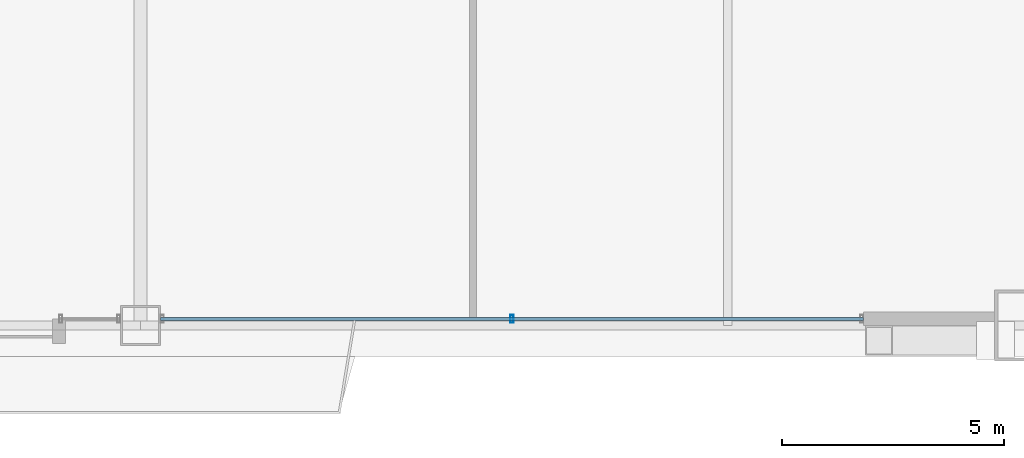
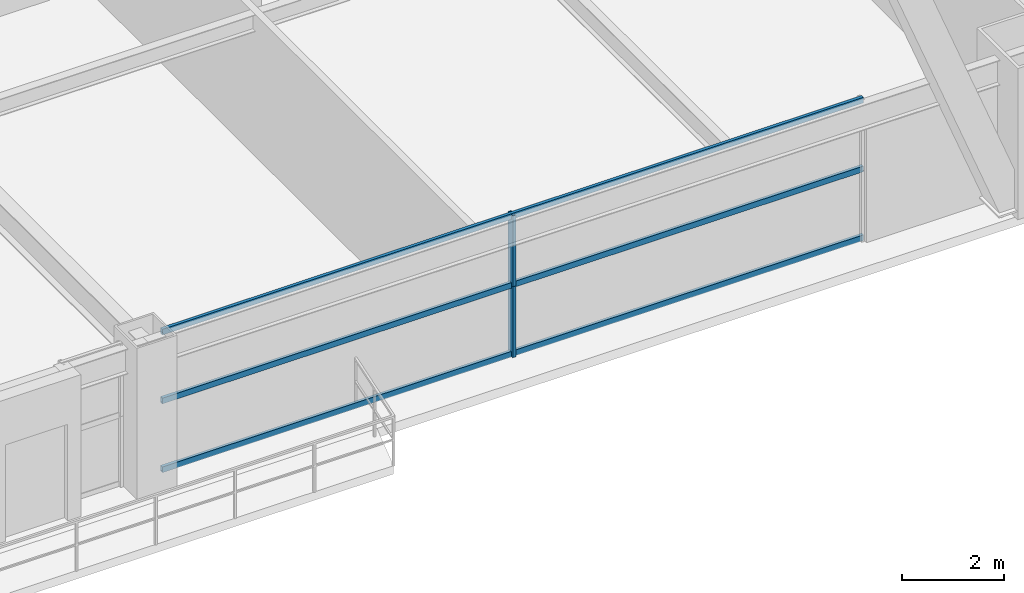
# One storey, part 14 of 43: 5 members, 1 element without a shape of its own.
"""IFC4 building model written with IfcOpenShell, lengths in metres."""

from ifc_helpers import new_model, si_unit, direction, frame, origin, origin_2d, place, context, subcontext, project, spatial, hollow_rectangle, extrude, source, transform, mapped, material, layer, layer_set, material_profile, profile_set, type_object, element, aggregate, save


model = new_model("IFC4")

# Units and contexts
model_context = context("Model", 3, precision=1e-05, world=origin(), true_north=direction((0.0, 1.0)))
body_context = subcontext(model_context, "Body", "Model", "MODEL_VIEW")
ifc_project = project(units=[si_unit("LENGTHUNIT", "METRE"), si_unit("AREAUNIT", "SQUARE_METRE"), si_unit("VOLUMEUNIT", "CUBIC_METRE"), si_unit("PLANEANGLEUNIT", "RADIAN"), si_unit("MASSUNIT", "GRAM", prefix="KILO"), si_unit("THERMODYNAMICTEMPERATUREUNIT", "KELVIN"), si_unit("POWERUNIT", "WATT")], contexts=[model_context])

# Site, building, storey
site_placement = place(None, origin())
site = spatial("IfcSite", under=ifc_project, at=site_placement, CompositionType="ELEMENT")
building_placement = place(site_placement, origin())
building = spatial("IfcBuilding", under=site, at=building_placement, Name="Yuzanri Waterfront Tower", CompositionType="ELEMENT")
storey_placement = place(building_placement, frame((0.0, 0.0, 101.0)))
storey = spatial("IfcBuildingStorey", under=building, at=storey_placement, Name="L26", CompositionType="ELEMENT", Elevation=101.0)

# Curtain wall, members
ifc_material_1 = material(Name="Anodized Architectural Bronze", Category="metal")
ifc_layer = layer(ifc_material_1, 0.159912109375)
ifc_layer_set = layer_set([ifc_layer], Name="Anodized Architectural Bronze")
curtain_wall_type = type_object("IfcCurtainWallType", Name="Anodized Bronze Hotel Upper-Tier Solar-Control Unitized Curtain Wall 7800", PredefinedType="NOTDEFINED", material=ifc_layer_set)
curtain_wall_placement = place(storey_placement, origin())
curtain_wall = element("IfcCurtainWall", 1, at=curtain_wall_placement, inside=storey, type_object=curtain_wall_type, Name="L26 Curtain Wall CW-L26-SR", PredefinedType="NOTDEFINED")
ifc_material_2 = material(Name="Anodized Architectural Bronze", Category="metal")
ifc_material_profile_1 = material_profile(ifc_material_2, hollow_rectangle(XDim=0.070068359375, YDim=0.179931640625, WallThickness=0.00390625, at=origin_2d()), Name="CWM 70x180")
ifc_profile_set_1 = profile_set([ifc_material_profile_1], Name="Anodized Architectural Bronze")
member_type_1 = type_object("IfcMemberType", Name="Anodized Bronze Standard Curtain-Wall Mullion 70x180", PredefinedType="MULLION", material=ifc_profile_set_1)
shared_shape_1 = source(origin(), body_context, "Body", "SweptSolid", [
    extrude(hollow_rectangle(XDim=0.070068359375, YDim=0.179931640625, WallThickness=0.00390625, at=origin_2d()), origin(), (0.0, 0.0, 1.0), 1.68798828125),
])
member_1_placement = place(storey_placement, frame((45.35009765625, 2.35009765625, 0.0), z_axis=(0.0, 0.0, 1.0), x_axis=(1.0, 0.0, 0.0)))
member_1 = element("IfcMember", 2, at=member_1_placement, type_object=member_type_1, Name="CW-L26-SR Lower Mullion 01", PredefinedType="MULLION", context=body_context, shape_type="MappedRepresentation", body=[
    mapped(shared_shape_1, transform((0.0, 0.0, 0.0), scale=1.0)),
])
member_2_placement = place(storey_placement, frame((45.35009765625, 2.35009765625, 1.69189453125), z_axis=(0.0, 0.0, 1.0), x_axis=(1.0, 0.0, 0.0)))
member_2 = element("IfcMember", 3, at=member_2_placement, type_object=member_type_1, Name="CW-L26-SR Upper Mullion 01", PredefinedType="MULLION", context=body_context, shape_type="MappedRepresentation", body=[
    mapped(shared_shape_1, transform((0.0, 0.0, 0.0), scale=1.0)),
])
ifc_material_3 = material(Name="Anodized Architectural Bronze", Category="metal")
ifc_material_profile_2 = material_profile(ifc_material_3, hollow_rectangle(XDim=0.070068359375, YDim=0.135009765625, WallThickness=0.00341796875, at=origin_2d()), Name="CWT 70x135")
ifc_profile_set_2 = profile_set([ifc_material_profile_2], Name="Anodized Architectural Bronze")
member_type_2 = type_object("IfcMemberType", Name="Anodized Bronze Standard Curtain-Wall Transom 70x135", PredefinedType="USERDEFINED", material=ifc_profile_set_2)
shared_shape_2 = source(origin(), body_context, "Body", "SweptSolid", [
    extrude(hollow_rectangle(XDim=0.070068359375, YDim=0.135009765625, WallThickness=0.00341796875, at=origin_2d()), origin(), (0.0, 0.0, 1.0), 15.800048828125),
])
member_3_placement = place(storey_placement, frame((37.449951171875, 2.35009765625, 0.050048828125), z_axis=(1.0, 0.0, 0.0), x_axis=(0.0, 1.0, 0.0)))
member_3 = element("IfcMember", 4, at=member_3_placement, type_object=member_type_2, Name="CW-L26-SR Transom 1", ObjectType="TRANSOM", PredefinedType="USERDEFINED", context=body_context, shape_type="MappedRepresentation", body=[
    mapped(shared_shape_2, transform((0.0, 0.0, 0.0), scale=1.0)),
])
member_4_placement = place(storey_placement, frame((37.449951171875, 2.35009765625, 1.68994140625), z_axis=(1.0, 0.0, 0.0), x_axis=(0.0, 1.0, 0.0)))
member_4 = element("IfcMember", 5, at=member_4_placement, type_object=member_type_2, Name="CW-L26-SR Transom 2", ObjectType="TRANSOM", PredefinedType="USERDEFINED", context=body_context, shape_type="MappedRepresentation", body=[
    mapped(shared_shape_2, transform((0.0, 0.0, 0.0), scale=1.0)),
])
member_5_placement = place(storey_placement, frame((37.449951171875, 2.35009765625, 3.330078125), z_axis=(1.0, 0.0, 0.0), x_axis=(0.0, 1.0, 0.0)))
member_5 = element("IfcMember", 6, at=member_5_placement, type_object=member_type_2, Name="CW-L26-SR Transom 3", ObjectType="TRANSOM", PredefinedType="USERDEFINED", context=body_context, shape_type="MappedRepresentation", body=[
    mapped(shared_shape_2, transform((0.0, 0.0, 0.0), scale=1.0)),
])
aggregate(curtain_wall, [member_1, member_2, member_3, member_4, member_5])

save(model, "model.ifc")
